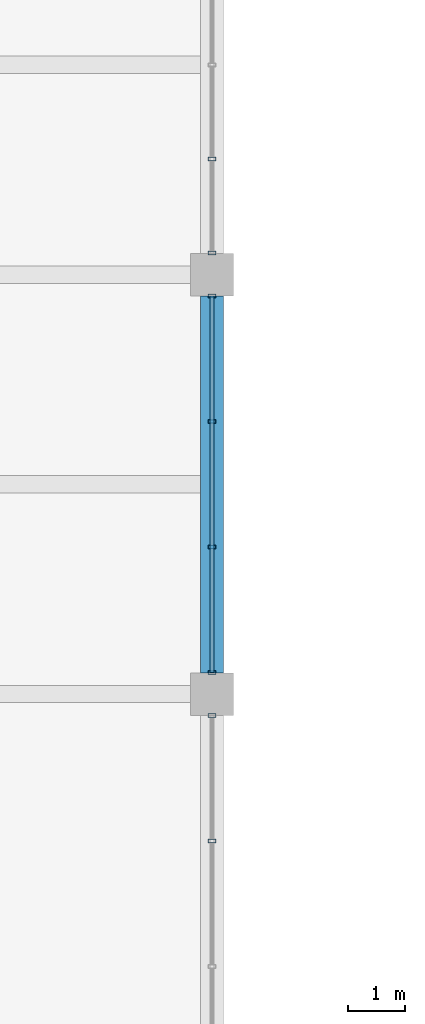
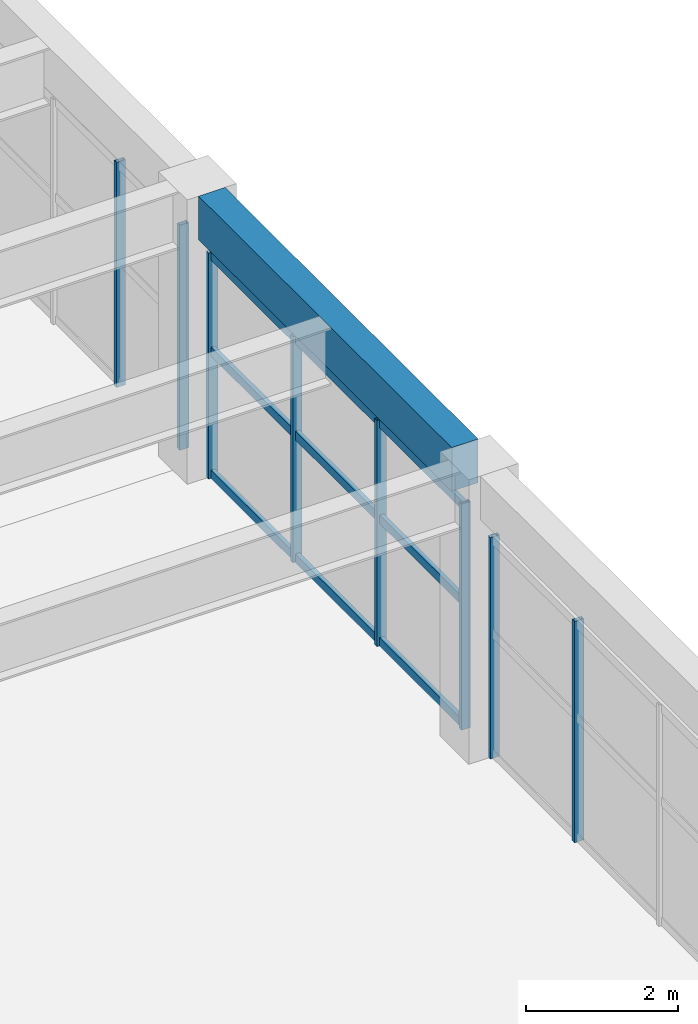
# One storey, part 90 of 161: 11 members, 1 beam, 3 elements without a shape of their own.
"""IFC4 building model written with IfcOpenShell, lengths in metres."""

from ifc_helpers import new_model, si_unit, direction, frame, origin, origin_2d, place, context, subcontext, project, spatial, rectangle, hollow_rectangle, extrude, material, material_profile, profile_set, type_object, element, aggregate, save


model = new_model("IFC4")

# Units and contexts
model_context = context("Model", 3, precision=1e-05, world=origin(), true_north=direction((0.0, 1.0)))
body_context = subcontext(model_context, "Body", "Model", "MODEL_VIEW")
ifc_project = project(units=[si_unit("LENGTHUNIT", "METRE"), si_unit("AREAUNIT", "SQUARE_METRE"), si_unit("VOLUMEUNIT", "CUBIC_METRE"), si_unit("PLANEANGLEUNIT", "RADIAN"), si_unit("MASSUNIT", "GRAM", prefix="KILO")], contexts=[model_context])

# Site, building, storey
site_placement = place(None, origin())
site = spatial("IfcSite", under=ifc_project, at=site_placement, CompositionType="ELEMENT")
building_placement = place(site_placement, origin())
building = spatial("IfcBuilding", under=site, at=building_placement, Name="Cimatlan Art Gallery", CompositionType="ELEMENT")
storey_placement = place(building_placement, frame((0.0, 0.0, 5.39990234375)))
storey = spatial("IfcBuildingStorey", under=building, at=storey_placement, Name="L01", CompositionType="ELEMENT", Elevation=5.39990234375)

# Beam
ifc_material_1 = material(Name="Concrete C40/50", Category="concrete")
ifc_material_profile_1 = material_profile(ifc_material_1, rectangle(XDim=0.39990234375, YDim=0.699951171875, at=origin_2d()), Name="RC400X700")
ifc_profile_set_1 = profile_set([ifc_material_profile_1], Name="Concrete C40/50")
beam_type = type_object("IfcBeamType", Name="BM-RC-400X700", PredefinedType="BEAM", material=ifc_profile_set_1)
beam_placement = place(storey_placement, frame((99.199951171875, 68.675048828125, 4.210205078125), z_axis=(0.0, 1.0, 0.0), x_axis=(-1.0, 0.0, 0.0)))
element("IfcBeam", 1, at=beam_placement, inside=storey, type_object=beam_type, Name="BM-Y-L01-12-09", PredefinedType="BEAM", context=body_context, shape_type="SweptSolid", body=[
    extrude(rectangle(XDim=0.39990234375, YDim=0.699951171875, at=origin_2d()), origin(), (0.0, 0.0, 1.0), 6.64990234375),
])

# Curtain wall, members
ifc_material_2 = material(Name="Anodised bronze unitised curtain wall")
curtain_wall_type_1 = type_object("IfcCurtainWallType", Name="CW-V-06642X03547-B3", PredefinedType="NOTDEFINED", material=ifc_material_2)
curtain_wall_1_placement = place(storey_placement, origin())
curtain_wall_1 = element("IfcCurtainWall", 2, at=curtain_wall_1_placement, inside=storey, type_object=curtain_wall_type_1, Name="CW-L01-11-08-E", PredefinedType="NOTDEFINED")
ifc_material_3 = material(Name="Anodised bronze aluminium 6063-T6", Category="aluminium")
ifc_material_profile_2 = material_profile(ifc_material_3, hollow_rectangle(XDim=0.06494140625, YDim=0.139892578125, WallThickness=0.00390625, at=origin_2d()), Name="ALU65X140X4")
ifc_profile_set_2 = profile_set([ifc_material_profile_2], Name="Anodised bronze aluminium 6063-T6")
member_type_1 = type_object("IfcMemberType", Name="CW-MUL-140", PredefinedType="MULLION", material=ifc_profile_set_2)
member_1_placement = place(storey_placement, frame((99.199951171875, 67.9208984375, 0.0), z_axis=(0.0, 0.0, 1.0), x_axis=(0.0, 1.0, 0.0)))
member_1 = element("IfcMember", 3, at=member_1_placement, type_object=member_type_1, Name="CW-L01-11-08-E-M1", PredefinedType="MULLION", context=body_context, shape_type="SweptSolid", body=[
    extrude(hollow_rectangle(XDim=0.06494140625, YDim=0.139892578125, WallThickness=0.00390625, at=origin_2d()), origin(), (0.0, 0.0, 1.0), 3.547119140625),
])
member_2_placement = place(storey_placement, frame((99.199951171875, 65.70703125, 0.0), z_axis=(0.0, 0.0, 1.0), x_axis=(0.0, 1.0, 0.0)))
member_2 = element("IfcMember", 4, at=member_2_placement, type_object=member_type_1, Name="CW-L01-11-08-E-M2", PredefinedType="MULLION", context=body_context, shape_type="SweptSolid", body=[
    extrude(hollow_rectangle(XDim=0.06494140625, YDim=0.139892578125, WallThickness=0.00390625, at=origin_2d()), origin(), (0.0, 0.0, 1.0), 3.547119140625),
])
aggregate(curtain_wall_1, [member_1, member_2])

curtain_wall_type_2 = type_object("IfcCurtainWallType", Name="CW-V-06642X03622-B3", PredefinedType="NOTDEFINED", material=ifc_material_2)
curtain_wall_2_placement = place(storey_placement, origin())
curtain_wall_2 = element("IfcCurtainWall", 5, at=curtain_wall_2_placement, inside=storey, type_object=curtain_wall_type_2, Name="CW-L01-11-09-E", PredefinedType="NOTDEFINED")
member_3_placement = place(storey_placement, frame((99.199951171875, 75.321044921875, 0.0), z_axis=(0.0, 0.0, 1.0), x_axis=(0.0, 1.0, 0.0)))
member_3 = element("IfcMember", 6, at=member_3_placement, type_object=member_type_1, Name="CW-L01-11-09-E-M1", PredefinedType="MULLION", context=body_context, shape_type="SweptSolid", body=[
    extrude(hollow_rectangle(XDim=0.06494140625, YDim=0.139892578125, WallThickness=0.00390625, at=origin_2d()), origin(), (0.0, 0.0, 1.0), 3.6220703125),
])
member_4_placement = place(storey_placement, frame((99.199951171875, 73.10693359375, 0.0), z_axis=(0.0, 0.0, 1.0), x_axis=(0.0, 1.0, 0.0)))
member_4 = element("IfcMember", 7, at=member_4_placement, type_object=member_type_1, Name="CW-L01-11-09-E-M2", PredefinedType="MULLION", context=body_context, shape_type="SweptSolid", body=[
    extrude(hollow_rectangle(XDim=0.06494140625, YDim=0.139892578125, WallThickness=0.00390625, at=origin_2d()), origin(), (0.0, 0.0, 1.0), 3.6220703125),
])
member_5_placement = place(storey_placement, frame((99.199951171875, 70.89306640625, 0.0), z_axis=(0.0, 0.0, 1.0), x_axis=(0.0, 1.0, 0.0)))
member_5 = element("IfcMember", 8, at=member_5_placement, type_object=member_type_1, Name="CW-L01-11-09-E-M3", PredefinedType="MULLION", context=body_context, shape_type="SweptSolid", body=[
    extrude(hollow_rectangle(XDim=0.06494140625, YDim=0.139892578125, WallThickness=0.00390625, at=origin_2d()), origin(), (0.0, 0.0, 1.0), 3.6220703125),
])
member_6_placement = place(storey_placement, frame((99.199951171875, 68.678955078125, 0.0), z_axis=(0.0, 0.0, 1.0), x_axis=(0.0, 1.0, 0.0)))
member_6 = element("IfcMember", 9, at=member_6_placement, type_object=member_type_1, Name="CW-L01-11-09-E-M4", PredefinedType="MULLION", context=body_context, shape_type="SweptSolid", body=[
    extrude(hollow_rectangle(XDim=0.06494140625, YDim=0.139892578125, WallThickness=0.00390625, at=origin_2d()), origin(), (0.0, 0.0, 1.0), 3.6220703125),
])

curtain_wall_type_3 = type_object("IfcCurtainWallType", Name="CW-V-06642X03607-B4", PredefinedType="NOTDEFINED", material=ifc_material_2)
curtain_wall_3_placement = place(storey_placement, origin())
curtain_wall_3 = element("IfcCurtainWall", 10, at=curtain_wall_3_placement, inside=storey, type_object=curtain_wall_type_3, Name="CW-L01-11-10-E", PredefinedType="NOTDEFINED")
member_7_placement = place(storey_placement, frame((99.199951171875, 77.739501953125, 0.0), z_axis=(0.0, 0.0, 1.0), x_axis=(0.0, 1.0, 0.0)))
member_7 = element("IfcMember", 11, at=member_7_placement, type_object=member_type_1, Name="CW-L01-11-10-E-M4", PredefinedType="MULLION", context=body_context, shape_type="SweptSolid", body=[
    extrude(hollow_rectangle(XDim=0.06494140625, YDim=0.139892578125, WallThickness=0.00390625, at=origin_2d()), origin(), (0.0, 0.0, 1.0), 3.607177734375),
])
member_8_placement = place(storey_placement, frame((99.199951171875, 76.0791015625, 0.0), z_axis=(0.0, 0.0, 1.0), x_axis=(0.0, 1.0, 0.0)))
member_8 = element("IfcMember", 12, at=member_8_placement, type_object=member_type_1, Name="CW-L01-11-10-E-M5", PredefinedType="MULLION", context=body_context, shape_type="SweptSolid", body=[
    extrude(hollow_rectangle(XDim=0.06494140625, YDim=0.139892578125, WallThickness=0.00390625, at=origin_2d()), origin(), (0.0, 0.0, 1.0), 3.607177734375),
])
aggregate(curtain_wall_3, [member_7, member_8])

# Member
ifc_material_profile_3 = material_profile(ifc_material_3, hollow_rectangle(XDim=0.06494140625, YDim=0.139892578125, WallThickness=0.00390625, at=origin_2d()), Name="ALU65X140X4")
ifc_profile_set_3 = profile_set([ifc_material_profile_3], Name="Anodised bronze aluminium 6063-T6")
member_type_2 = type_object("IfcMemberType", Name="CW-TRN-140", PredefinedType="USERDEFINED", material=ifc_profile_set_3)
member_9_placement = place(storey_placement, frame((99.199951171875, 75.321044921875, 0.06005859375), z_axis=(0.0, -1.0, 0.0), x_axis=(1.0, 0.0, 0.0)))
member_9 = element("IfcMember", 13, at=member_9_placement, type_object=member_type_2, Name="CW-L01-11-09-E-T1", ObjectType="TRANSOM", PredefinedType="USERDEFINED", context=body_context, shape_type="SweptSolid", body=[
    extrude(hollow_rectangle(XDim=0.06494140625, YDim=0.139892578125, WallThickness=0.00390625, at=origin_2d()), origin(), (0.0, 0.0, 1.0), 6.64208984375),
])

member_10_placement = place(storey_placement, frame((99.199951171875, 75.321044921875, 2.0283203125), z_axis=(0.0, -1.0, 0.0), x_axis=(1.0, 0.0, 0.0)))
member_10 = element("IfcMember", 14, at=member_10_placement, type_object=member_type_2, Name="CW-L01-11-09-E-T2", ObjectType="TRANSOM", PredefinedType="USERDEFINED", context=body_context, shape_type="SweptSolid", body=[
    extrude(hollow_rectangle(XDim=0.06494140625, YDim=0.139892578125, WallThickness=0.00390625, at=origin_2d()), origin(), (0.0, 0.0, 1.0), 6.64208984375),
])

member_11_placement = place(storey_placement, frame((99.199951171875, 75.321044921875, 3.56201171875), z_axis=(0.0, -1.0, 0.0), x_axis=(1.0, 0.0, 0.0)))
member_11 = element("IfcMember", 15, at=member_11_placement, type_object=member_type_2, Name="CW-L01-11-09-E-T3", ObjectType="TRANSOM", PredefinedType="USERDEFINED", context=body_context, shape_type="SweptSolid", body=[
    extrude(hollow_rectangle(XDim=0.06494140625, YDim=0.139892578125, WallThickness=0.00390625, at=origin_2d()), origin(), (0.0, 0.0, 1.0), 6.64208984375),
])

aggregate(curtain_wall_2, [member_3, member_4, member_5, member_6, member_9, member_10, member_11])

save(model, "model.ifc")
